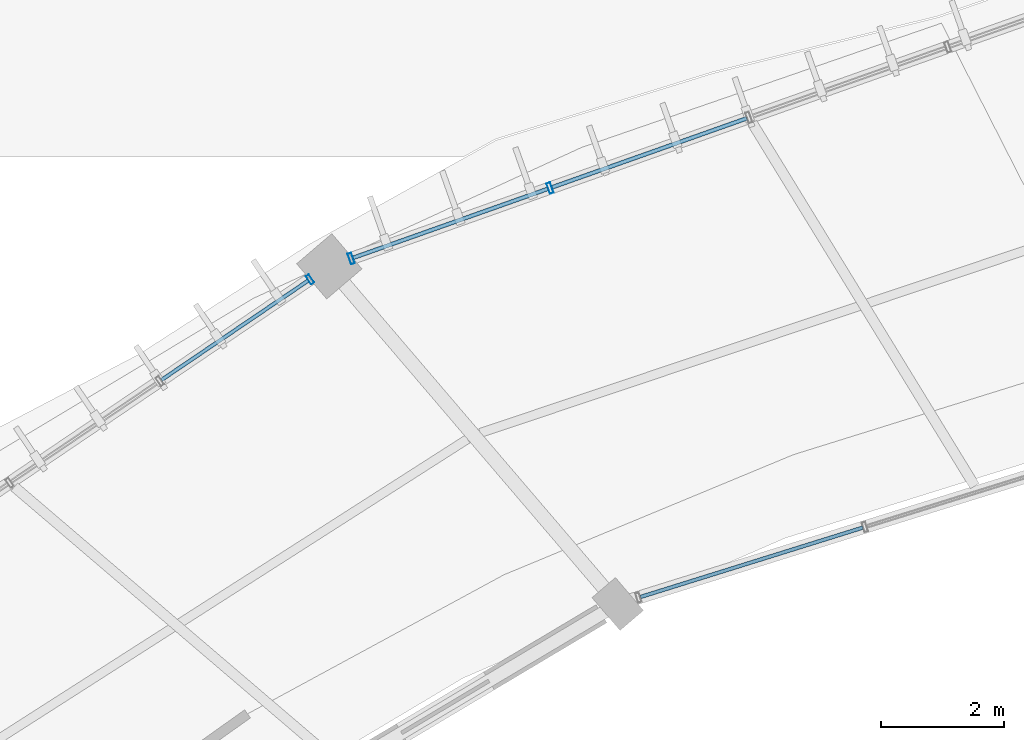
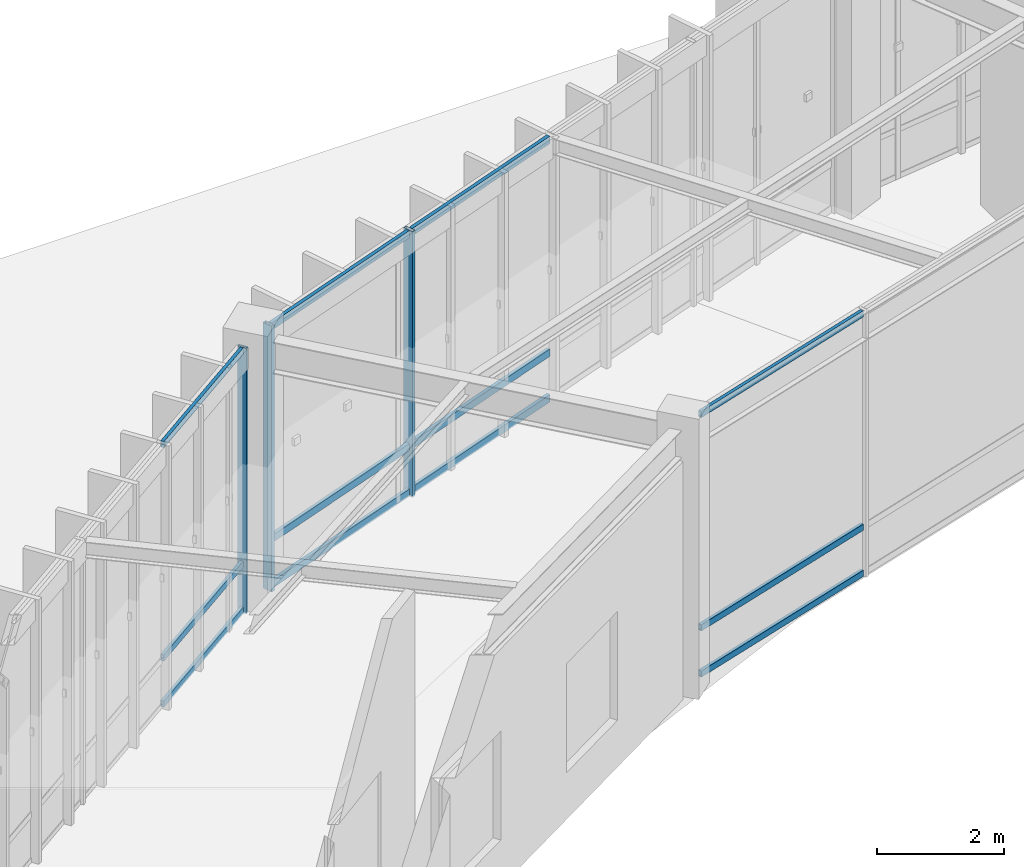
# One storey, part 54 of 157: 15 members, 3 elements without a shape of their own.
"""IFC4 building model written with IfcOpenShell, lengths in metres."""

from ifc_helpers import new_model, si_unit, direction, frame, origin, origin_2d, place, context, subcontext, project, spatial, hollow_rectangle, extrude, material, material_profile, profile_set, type_object, element, aggregate, save


model = new_model("IFC4")

# Units and contexts
model_context = context("Model", 3, precision=1e-05, world=origin(), true_north=direction((0.0, 1.0)))
body_context = subcontext(model_context, "Body", "Model", "MODEL_VIEW")
ifc_project = project(units=[si_unit("LENGTHUNIT", "METRE"), si_unit("AREAUNIT", "SQUARE_METRE"), si_unit("VOLUMEUNIT", "CUBIC_METRE"), si_unit("PLANEANGLEUNIT", "RADIAN"), si_unit("MASSUNIT", "GRAM", prefix="KILO"), si_unit("THERMODYNAMICTEMPERATUREUNIT", "KELVIN"), si_unit("POWERUNIT", "WATT")], contexts=[model_context])

# Site, building, storey
site_placement = place(None, origin())
site = spatial("IfcSite", under=ifc_project, at=site_placement, CompositionType="ELEMENT")
building_placement = place(site_placement, origin())
building = spatial("IfcBuilding", under=site, at=building_placement, Name="Darbajah Civic Hall", CompositionType="ELEMENT")
storey_placement = place(building_placement, origin())
storey = spatial("IfcBuildingStorey", under=building, at=storey_placement, Name="L00", CompositionType="ELEMENT", Elevation=0.0)

# Curtain wall, member
ifc_material_1 = material(Name="Anodised Bronze Aluminium and Low-E Glazing", Category="aluminium")
curtain_wall_type_1 = type_object("IfcCurtainWallType", Name="Unitised Curtain Wall CW-08 11800x5100", PredefinedType="USERDEFINED", material=ifc_material_1)
curtain_wall_1_placement = place(storey_placement, origin())
curtain_wall_1 = element("IfcCurtainWall", 1, at=curtain_wall_1_placement, inside=storey, type_object=curtain_wall_type_1, Name="L00 unitised curtain wall CW-V1O-L00-07", ObjectType="UNITISED CURTAIN WALL", PredefinedType="USERDEFINED")
ifc_material_2 = material(Name="Anodised Bronze Aluminium", Category="aluminium")
ifc_material_profile_1 = material_profile(ifc_material_2, hollow_rectangle(XDim=0.06005859375, YDim=0.159912109375, WallThickness=0.00341796875, at=origin_2d()), Name="ALU MULLION 60x160")
ifc_profile_set_1 = profile_set([ifc_material_profile_1], Name="Anodised Bronze Aluminium")
member_type_1 = type_object("IfcMemberType", Name="ALU MULLION 60x160", PredefinedType="MULLION", material=ifc_profile_set_1)
member_1_placement = place(storey_placement, frame((55.666015625, 112.0205078125, 0.0), z_axis=(0.0, 0.0, 1.0), x_axis=(-0.827962472047, -0.560783509816, 0.0)))
member_1 = element("IfcMember", 2, at=member_1_placement, type_object=member_type_1, Name="CW-V1O-L00-07 mullion 1", PredefinedType="MULLION", context=body_context, shape_type="SweptSolid", body=[
    extrude(hollow_rectangle(XDim=0.06005859375, YDim=0.159912109375, WallThickness=0.00341796875, at=origin_2d()), origin(), (0.0, 0.0, 1.0), 5.1201171875),
])

# Curtain wall, members
curtain_wall_type_2 = type_object("IfcCurtainWallType", Name="Unitised Curtain Wall CW-06 13700x5100", PredefinedType="USERDEFINED", material=ifc_material_1)
curtain_wall_2_placement = place(storey_placement, origin())
curtain_wall_2 = element("IfcCurtainWall", 3, at=curtain_wall_2_placement, inside=storey, type_object=curtain_wall_type_2, Name="L00 unitised curtain wall CW-V1O-L00-06", ObjectType="UNITISED CURTAIN WALL", PredefinedType="USERDEFINED")
ifc_material_profile_2 = material_profile(ifc_material_2, hollow_rectangle(XDim=0.06494140625, YDim=0.179931640625, WallThickness=0.00390625, at=origin_2d()), Name="ALU MULLION 65x180")
ifc_profile_set_2 = profile_set([ifc_material_profile_2], Name="Anodised Bronze Aluminium")
member_type_2 = type_object("IfcMemberType", Name="ALU MULLION 65x180", PredefinedType="MULLION", material=ifc_profile_set_2)
member_2_placement = place(storey_placement, frame((59.556884765625, 113.50048828125, 0.0), z_axis=(0.0, 0.0, 1.0), x_axis=(-0.94252491309, -0.334135882844, 0.0)))
member_2 = element("IfcMember", 4, at=member_2_placement, type_object=member_type_2, Name="CW-V1O-L00-06 mullion 4", PredefinedType="MULLION", context=body_context, shape_type="SweptSolid", body=[
    extrude(hollow_rectangle(XDim=0.06494140625, YDim=0.179931640625, WallThickness=0.00390625, at=origin_2d()), origin(), (0.0, 0.0, 1.0), 5.1201171875),
])
member_3_placement = place(storey_placement, frame((56.33349609375, 112.35791015625, 0.0), z_axis=(0.0, 0.0, 1.0), x_axis=(-0.94252491309, -0.334135882844, 0.0)))
member_3 = element("IfcMember", 5, at=member_3_placement, type_object=member_type_2, Name="CW-V1O-L00-06 mullion 5", PredefinedType="MULLION", context=body_context, shape_type="SweptSolid", body=[
    extrude(hollow_rectangle(XDim=0.06494140625, YDim=0.179931640625, WallThickness=0.00390625, at=origin_2d()), origin(), (0.0, 0.0, 1.0), 5.1201171875),
])

curtain_wall_type_3 = type_object("IfcCurtainWallType", Name="Unitised Curtain Wall CW-07 11500x5100", PredefinedType="USERDEFINED", material=ifc_material_1)
curtain_wall_3_placement = place(storey_placement, origin())
curtain_wall_3 = element("IfcCurtainWall", 6, at=curtain_wall_3_placement, inside=storey, type_object=curtain_wall_type_3, Name="L00 unitised curtain wall CW-V1I-L00-06", ObjectType="UNITISED CURTAIN WALL", PredefinedType="USERDEFINED")
ifc_material_profile_3 = material_profile(ifc_material_2, hollow_rectangle(XDim=0.06005859375, YDim=0.1201171875, WallThickness=0.003173828125, at=origin_2d()), Name="ALU TRANSOM 60x120")
ifc_profile_set_3 = profile_set([ifc_material_profile_3], Name="Anodised Bronze Aluminium")
member_type_3 = type_object("IfcMemberType", Name="ALU TRANSOM 60x120", PredefinedType="USERDEFINED", material=ifc_profile_set_3)
member_4_placement = place(storey_placement, frame((64.627685546875, 107.99658203125, 0.06005859375), z_axis=(-0.954629445971, -0.297796274129, 0.0), x_axis=(0.297796274129, -0.954629445971, 0.0)))
member_4 = element("IfcMember", 7, at=member_4_placement, type_object=member_type_3, Name="CW-V1I-L00-06 transom 3.1", ObjectType="TRANSOM", PredefinedType="USERDEFINED", context=body_context, shape_type="SweptSolid", body=[
    extrude(hollow_rectangle(XDim=0.06005859375, YDim=0.1201171875, WallThickness=0.003173828125, at=origin_2d()), origin(), (0.0, 0.0, 1.0), 3.775390625),
])
member_5_placement = place(storey_placement, frame((64.627685546875, 107.99658203125, 0.949951171875), z_axis=(-0.954629445971, -0.297796274129, 0.0), x_axis=(0.297796274129, -0.954629445971, 0.0)))
member_5 = element("IfcMember", 8, at=member_5_placement, type_object=member_type_3, Name="CW-V1I-L00-06 transom 3.2", ObjectType="TRANSOM", PredefinedType="USERDEFINED", context=body_context, shape_type="SweptSolid", body=[
    extrude(hollow_rectangle(XDim=0.06005859375, YDim=0.1201171875, WallThickness=0.003173828125, at=origin_2d()), origin(), (0.0, 0.0, 1.0), 3.775390625),
])
member_6_placement = place(storey_placement, frame((64.627685546875, 107.99658203125, 5.06005859375), z_axis=(-0.954629445971, -0.297796274129, 0.0), x_axis=(0.297796274129, -0.954629445971, 0.0)))
member_6 = element("IfcMember", 9, at=member_6_placement, type_object=member_type_3, Name="CW-V1I-L00-06 transom 3.3", ObjectType="TRANSOM", PredefinedType="USERDEFINED", context=body_context, shape_type="SweptSolid", body=[
    extrude(hollow_rectangle(XDim=0.06005859375, YDim=0.1201171875, WallThickness=0.003173828125, at=origin_2d()), origin(), (0.0, 0.0, 1.0), 3.775390625),
])
aggregate(curtain_wall_3, [member_4, member_5, member_6])

# Member
member_7_placement = place(storey_placement, frame((55.636962890625, 112.0009765625, 0.06005859375), z_axis=(-0.827958184156, -0.560789840573, 0.0), x_axis=(0.560789840573, -0.827958184156, 0.0)))
member_7 = element("IfcMember", 10, at=member_7_placement, type_object=member_type_3, Name="CW-V1O-L00-07 transom 1.1", ObjectType="TRANSOM", PredefinedType="USERDEFINED", context=body_context, shape_type="SweptSolid", body=[
    extrude(hollow_rectangle(XDim=0.06005859375, YDim=0.1201171875, WallThickness=0.003173828125, at=origin_2d()), origin(), (0.0, 0.0, 1.0), 2.870361328125),
])

member_8_placement = place(storey_placement, frame((55.636962890625, 112.0009765625, 0.949951171875), z_axis=(-0.827958184156, -0.560789840573, 0.0), x_axis=(0.560789840573, -0.827958184156, 0.0)))
member_8 = element("IfcMember", 11, at=member_8_placement, type_object=member_type_3, Name="CW-V1O-L00-07 transom 1.2", ObjectType="TRANSOM", PredefinedType="USERDEFINED", context=body_context, shape_type="SweptSolid", body=[
    extrude(hollow_rectangle(XDim=0.06005859375, YDim=0.1201171875, WallThickness=0.003173828125, at=origin_2d()), origin(), (0.0, 0.0, 1.0), 2.870361328125),
])

member_9_placement = place(storey_placement, frame((55.636962890625, 112.0009765625, 5.06005859375), z_axis=(-0.827958184156, -0.560789840573, 0.0), x_axis=(0.560789840573, -0.827958184156, 0.0)))
member_9 = element("IfcMember", 12, at=member_9_placement, type_object=member_type_3, Name="CW-V1O-L00-07 transom 1.3", ObjectType="TRANSOM", PredefinedType="USERDEFINED", context=body_context, shape_type="SweptSolid", body=[
    extrude(hollow_rectangle(XDim=0.06005859375, YDim=0.1201171875, WallThickness=0.003173828125, at=origin_2d()), origin(), (0.0, 0.0, 1.0), 2.870361328125),
])

aggregate(curtain_wall_1, [member_1, member_7, member_8, member_9])

ifc_material_profile_4 = material_profile(ifc_material_2, hollow_rectangle(XDim=0.06494140625, YDim=0.139892578125, WallThickness=0.00341796875, at=origin_2d()), Name="ALU TRANSOM 65x140")
ifc_profile_set_4 = profile_set([ifc_material_profile_4], Name="Anodised Bronze Aluminium")
member_type_4 = type_object("IfcMemberType", Name="ALU TRANSOM 65x140", PredefinedType="USERDEFINED", material=ifc_profile_set_4)
member_10_placement = place(storey_placement, frame((62.745361328125, 114.630615234375, 0.070068359375), z_axis=(-0.942559740686, -0.334037625483, 0.0), x_axis=(0.334037625483, -0.942559740686, 0.0)))
member_10 = element("IfcMember", 13, at=member_10_placement, type_object=member_type_4, Name="CW-V1O-L00-06 transom 3.1", ObjectType="TRANSOM", PredefinedType="USERDEFINED", context=body_context, shape_type="SweptSolid", body=[
    extrude(hollow_rectangle(XDim=0.06494140625, YDim=0.139892578125, WallThickness=0.00341796875, at=origin_2d()), origin(), (0.0, 0.0, 1.0), 3.34521484375),
])

member_11_placement = place(storey_placement, frame((62.745361328125, 114.630615234375, 0.949951171875), z_axis=(-0.942559740686, -0.334037625483, 0.0), x_axis=(0.334037625483, -0.942559740686, 0.0)))
member_11 = element("IfcMember", 14, at=member_11_placement, type_object=member_type_4, Name="CW-V1O-L00-06 transom 3.2", ObjectType="TRANSOM", PredefinedType="USERDEFINED", context=body_context, shape_type="SweptSolid", body=[
    extrude(hollow_rectangle(XDim=0.06494140625, YDim=0.139892578125, WallThickness=0.00341796875, at=origin_2d()), origin(), (0.0, 0.0, 1.0), 3.34521484375),
])

member_12_placement = place(storey_placement, frame((62.745361328125, 114.630615234375, 5.050048828125), z_axis=(-0.942559740686, -0.334037625483, 0.0), x_axis=(0.334037625483, -0.942559740686, 0.0)))
member_12 = element("IfcMember", 15, at=member_12_placement, type_object=member_type_4, Name="CW-V1O-L00-06 transom 3.3", ObjectType="TRANSOM", PredefinedType="USERDEFINED", context=body_context, shape_type="SweptSolid", body=[
    extrude(hollow_rectangle(XDim=0.06494140625, YDim=0.139892578125, WallThickness=0.00341796875, at=origin_2d()), origin(), (0.0, 0.0, 1.0), 3.34521484375),
])

member_13_placement = place(storey_placement, frame((59.521728515625, 113.488037109375, 0.070068359375), z_axis=(-0.942559740686, -0.334037625483, 0.0), x_axis=(0.334037625483, -0.942559740686, 0.0)))
member_13 = element("IfcMember", 16, at=member_13_placement, type_object=member_type_4, Name="CW-V1O-L00-06 transom 4.1", ObjectType="TRANSOM", PredefinedType="USERDEFINED", context=body_context, shape_type="SweptSolid", body=[
    extrude(hollow_rectangle(XDim=0.06494140625, YDim=0.139892578125, WallThickness=0.00341796875, at=origin_2d()), origin(), (0.0, 0.0, 1.0), 3.34521484375),
])

member_14_placement = place(storey_placement, frame((59.521728515625, 113.488037109375, 0.949951171875), z_axis=(-0.942559740686, -0.334037625483, 0.0), x_axis=(0.334037625483, -0.942559740686, 0.0)))
member_14 = element("IfcMember", 17, at=member_14_placement, type_object=member_type_4, Name="CW-V1O-L00-06 transom 4.2", ObjectType="TRANSOM", PredefinedType="USERDEFINED", context=body_context, shape_type="SweptSolid", body=[
    extrude(hollow_rectangle(XDim=0.06494140625, YDim=0.139892578125, WallThickness=0.00341796875, at=origin_2d()), origin(), (0.0, 0.0, 1.0), 3.34521484375),
])

member_15_placement = place(storey_placement, frame((59.521728515625, 113.488037109375, 5.050048828125), z_axis=(-0.942559740686, -0.334037625483, 0.0), x_axis=(0.334037625483, -0.942559740686, 0.0)))
member_15 = element("IfcMember", 18, at=member_15_placement, type_object=member_type_4, Name="CW-V1O-L00-06 transom 4.3", ObjectType="TRANSOM", PredefinedType="USERDEFINED", context=body_context, shape_type="SweptSolid", body=[
    extrude(hollow_rectangle(XDim=0.06494140625, YDim=0.139892578125, WallThickness=0.00341796875, at=origin_2d()), origin(), (0.0, 0.0, 1.0), 3.34521484375),
])

aggregate(curtain_wall_2, [member_2, member_3, member_10, member_11, member_12, member_13, member_14, member_15])

save(model, "model.ifc")
